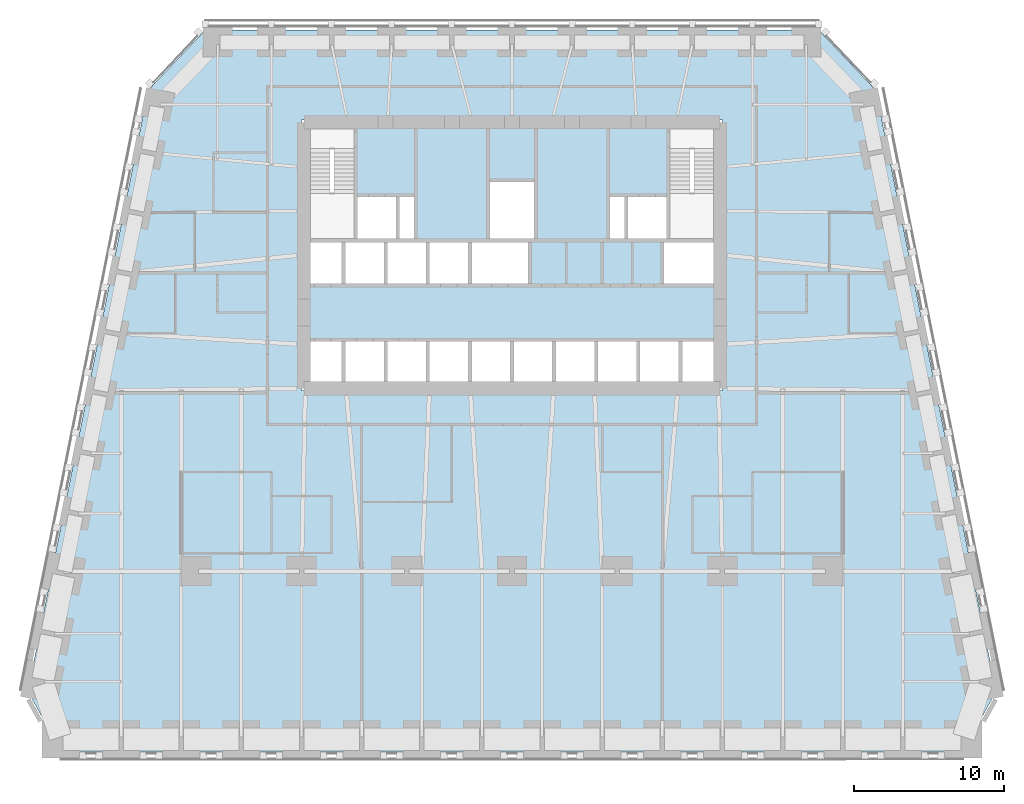
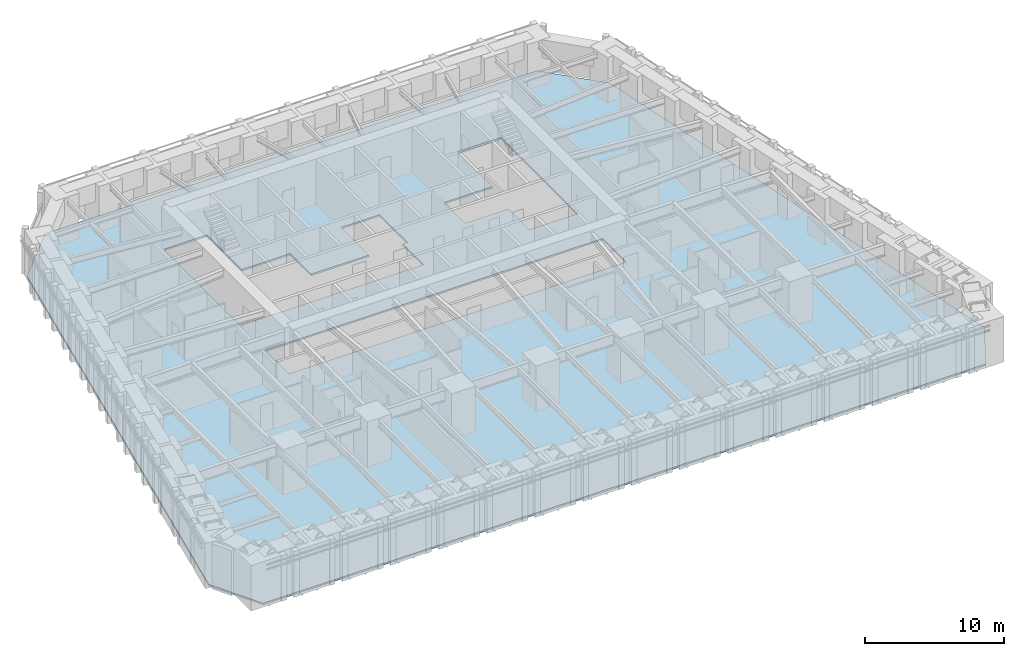
# One storey, part 8 of 16: 1 slab.
"""IFC4 building model written with IfcOpenShell, lengths in metres."""

from ifc_helpers import new_model, si_unit, direction, frame, origin, place, context, subcontext, project, spatial, polyline, outline, extrude, material, layer, layer_set, type_object, element, save


model = new_model("IFC4")

# Units and contexts
model_context = context("Model", 3, precision=1e-05, world=origin(), true_north=direction((0.0, 1.0)))
body_context = subcontext(model_context, "Body", "Model", "MODEL_VIEW")
ifc_project = project(units=[si_unit("LENGTHUNIT", "METRE"), si_unit("AREAUNIT", "SQUARE_METRE"), si_unit("VOLUMEUNIT", "CUBIC_METRE"), si_unit("PLANEANGLEUNIT", "RADIAN"), si_unit("MASSUNIT", "GRAM", prefix="KILO")], contexts=[model_context])

# Site, building, storey
site_placement = place(None, origin())
site = spatial("IfcSite", under=ifc_project, at=site_placement, CompositionType="ELEMENT")
building_placement = place(site_placement, origin())
building = spatial("IfcBuilding", under=site, at=building_placement, Name="Isbrekke Arena Tower", CompositionType="ELEMENT")
storey_placement = place(building_placement, frame((0.0, 0.0, 40.0)))
storey = spatial("IfcBuildingStorey", under=building, at=storey_placement, Name="L07", CompositionType="ELEMENT", Elevation=40.0)

# Slab
ifc_material = material(Name="Concrete B35 (C35/45)", Category="concrete")
ifc_layer = layer(ifc_material, 0.14990234375)
ifc_layer_set = layer_set([ifc_layer], Name="FS1 COMPOSITE FLOOR 150")
slab_type = type_object("IfcSlabType", Name="FS1 COMPOSITE FLOOR 150", PredefinedType="FLOOR", material=ifc_layer_set)
slab_placement = place(storey_placement, frame((0.0, 0.0, -0.14990234375)))
element("IfcSlab", 1, at=slab_placement, inside=storey, type_object=slab_type, Name="FS1 floor slab L07", PredefinedType="FLOOR", context=body_context, shape_type="SweptSolid", body=[
    extrude(outline(polyline([(-30.0, -18.0), (30.0, -18.0), (32.199951171875, -14.0), (24.199951171875, 26.0), (20.39990234375, 30.0), (-20.39990234375, 30.0), (-24.199951171875, 26.0), (-32.199951171875, -14.0), (-30.0, -18.0)]), holes=[polyline([(14.0, 9.39990234375), (14.0, 6.0), (-14.0, 6.0), (-14.0, 9.39990234375), (14.0, 9.39990234375)]), polyline([(-6.39990234375, 19.0), (-6.39990234375, 16.0), (-1.60009765625, 16.0), (-1.60009765625, 20.0), (1.60009765625, 20.0), (1.60009765625, 16.0), (1.199951171875, 16.0), (1.199951171875, 13.0), (-14.0, 13.0), (-14.0, 24.0), (-10.39990234375, 24.0), (-10.39990234375, 19.0), (-6.39990234375, 19.0)]), polyline([(10.0, 13.0), (10.0, 16.0), (6.39990234375, 16.0), (6.39990234375, 19.0), (10.39990234375, 19.0), (10.39990234375, 24.0), (14.0, 24.0), (14.0, 13.0), (10.0, 13.0)])]), origin(), (0.0, 0.0, 1.0), 0.14990234375),
])

save(model, "model.ifc")
